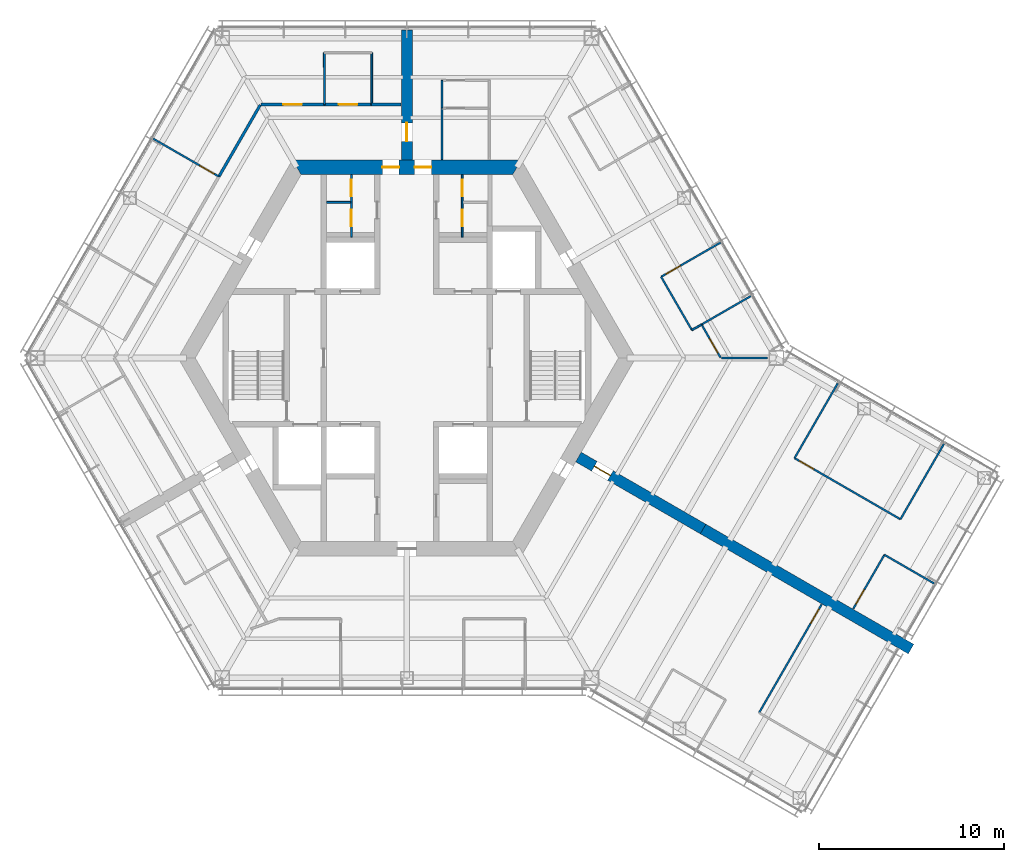
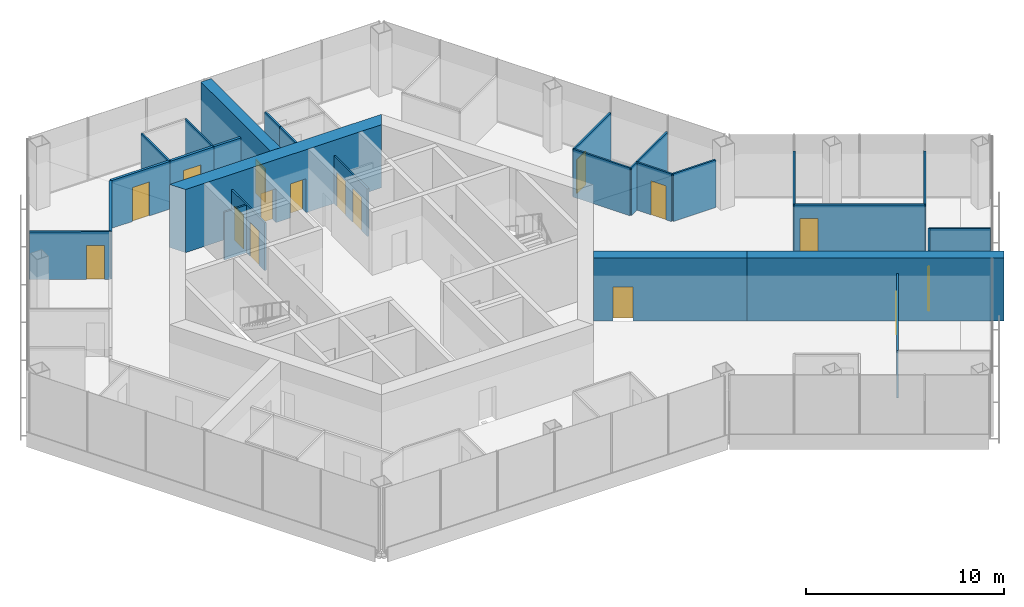
# One storey, part 12 of 16: 28 walls, 16 doors, 16 openings.
"""IFC4 building model written with IfcOpenShell, lengths in metres."""

from ifc_helpers import new_model, si_unit, direction, frame, frame_2d, origin, place, context, subcontext, project, spatial, polyline, rectangle, outline, extrude, material, layer, layer_set, type_object, element, fill, save


model = new_model("IFC4")

# Units and contexts
model_context = context("Model", 3, precision=1e-05, world=origin(), true_north=direction((0.0, 1.0)))
body_context = subcontext(model_context, "Body", "Model", "MODEL_VIEW")
ifc_project = project(units=[si_unit("LENGTHUNIT", "METRE"), si_unit("AREAUNIT", "SQUARE_METRE"), si_unit("VOLUMEUNIT", "CUBIC_METRE"), si_unit("PLANEANGLEUNIT", "RADIAN"), si_unit("MASSUNIT", "GRAM", prefix="KILO")], contexts=[model_context])

# Site, building, storey
site_placement = place(None, origin())
site = spatial("IfcSite", under=ifc_project, at=site_placement, CompositionType="ELEMENT")
building_placement = place(site_placement, origin())
building = spatial("IfcBuilding", under=site, at=building_placement, Name="Kasaneha Research Tower", CompositionType="ELEMENT")
storey_placement = place(building_placement, frame((0.0, 0.0, 251.800048828125)))
storey = spatial("IfcBuildingStorey", under=building, at=storey_placement, Name="L63", CompositionType="ELEMENT", Elevation=251.800048828125)

# Wall, openings, doors
ifc_material_1 = material(Name="Concrete Fc60", Category="concrete")
ifc_layer_1 = layer(ifc_material_1, 0.800048828125)
ifc_layer_set_1 = layer_set([ifc_layer_1], Name="Core wall 800 Fc60")
wall_type_1 = type_object("IfcWallType", Name="Core wall 800 Fc60", PredefinedType="SHEAR", material=ifc_layer_set_1)
wall_1_placement = place(storey_placement, frame((5.961181640625, 10.324951171875, 0.0), z_axis=(0.0, 0.0, 1.0), x_axis=(-1.0, 0.0, 0.0)))
wall_1 = element("IfcWall", 1, at=wall_1_placement, inside=storey, type_object=wall_type_1, Name="Core wall 090 L63", PredefinedType="SHEAR", context=body_context, shape_type="SweptSolid", body=[
    extrude(outline(polyline([(-0.23095703125, -0.39990234375), (4.63623046875, -0.39990234375), (5.5361328125, -0.39990234375), (6.38623046875, -0.39990234375), (7.2861328125, -0.39990234375), (12.1533203125, -0.39990234375), (11.69140625, 0.39990234375), (7.2861328125, 0.39990234375), (6.38623046875, 0.39990234375), (5.5361328125, 0.39990234375), (4.63623046875, 0.39990234375), (0.23095703125, 0.39990234375), (-0.23095703125, -0.39990234375)])), origin(), (0.0, 0.0, 1.0), 3.89990234375),
])
opening_1_placement = place(wall_1_placement, frame((6.38623046875, 0.0, 0.0)))
opening_1 = element("IfcOpeningElement", 2, at=opening_1_placement, cuts=wall_1, Name="Opening L63-D01", PredefinedType="OPENING", context=body_context, shape_type="SweptSolid", body=[
    extrude(rectangle(XDim=0.89990234375, YDim=2.10009765625, at=frame_2d((0.449951171875, 1.050048828125))), frame((0.0, 0.41015625, 0.0), z_axis=(0.0, -1.0, 0.0), x_axis=(1.0, 0.0, 0.0)), (0.0, 0.0, 1.0), 0.820068359375),
])
opening_2_placement = place(wall_1_placement, frame((4.63623046875, 0.0, 0.0)))
opening_2 = element("IfcOpeningElement", 3, at=opening_2_placement, cuts=wall_1, Name="Opening L63-D02", PredefinedType="OPENING", context=body_context, shape_type="SweptSolid", body=[
    extrude(rectangle(XDim=0.89990234375, YDim=2.10009765625, at=frame_2d((0.449951171875, 1.050048828125))), frame((0.0, 0.41015625, 0.0), z_axis=(0.0, -1.0, 0.0), x_axis=(1.0, 0.0, 0.0)), (0.0, 0.0, 1.0), 0.820068359375),
])
ifc_material_2 = material(Name="Steel", Category="steel")
door_type_1 = type_object("IfcDoorType", Name="Toilet door FD20 900x2100", OperationType="NOTDEFINED", PredefinedType="DOOR", material=ifc_material_2)
door_1_placement = place(opening_1_placement, origin())
door_1 = element("IfcDoor", 4, at=door_1_placement, inside=storey, type_object=door_type_1, Name="Core door north 1 L63-D01", OperationType="SINGLE_SWING_RIGHT", OverallHeight=2.10009765625, OverallWidth=0.89990234375, PredefinedType="DOOR", context=body_context, shape_type="SweptSolid", body=[
    extrude(rectangle(XDim=0.89990234375, YDim=2.10009765625, at=frame_2d((0.449951171875, 1.050048828125))), frame((0.0, 0.02490234375, 0.0), z_axis=(0.0, -1.0, 0.0), x_axis=(1.0, 0.0, 0.0)), (0.0, 0.0, 1.0), 0.050048828125),
])
fill(opening_1, door_1)
door_2_placement = place(opening_2_placement, origin())
door_2 = element("IfcDoor", 5, at=door_2_placement, inside=storey, type_object=door_type_1, Name="Core door north 2 L63-D02", OperationType="SINGLE_SWING_LEFT", OverallHeight=2.10009765625, OverallWidth=0.89990234375, PredefinedType="DOOR", context=body_context, shape_type="SweptSolid", body=[
    extrude(rectangle(XDim=0.89990234375, YDim=2.10009765625, at=frame_2d((0.449951171875, 1.050048828125))), frame((0.0, 0.02490234375, 0.0), z_axis=(0.0, -1.0, 0.0), x_axis=(1.0, 0.0, 0.0)), (0.0, 0.0, 1.0), 0.050048828125),
])
fill(opening_2, door_2)

ifc_material_3 = material(Name="Gypsum board on steel studs, one layer each side", Category="steel")
ifc_layer_2 = layer(ifc_material_3, 0.10009765625)
ifc_layer_set_2 = layer_set([ifc_layer_2], Name="Office partition 100")
wall_type_2 = type_object("IfcWallType", Name="Office partition 100", PredefinedType="PARTITIONING", material=ifc_layer_set_2)
wall_2_placement = place(storey_placement, frame((-3.0, 6.550048828125, 0.0), z_axis=(0.0, 0.0, 1.0), x_axis=(0.0, 1.0, 0.0)))
wall_2 = element("IfcWall", 6, at=wall_2_placement, inside=storey, type_object=wall_type_2, Name="Office partition TBM1 L63", PredefinedType="PARTITIONING", context=body_context, shape_type="SweptSolid", body=[
    extrude(rectangle(XDim=3.375, YDim=0.10009765625, at=frame_2d((1.6875, 0.0))), origin(), (0.0, 0.0, 1.0), 2.949951171875),
])
opening_3_placement = place(wall_2_placement, frame((0.58740234375, 0.0, 0.0)))
opening_3 = element("IfcOpeningElement", 7, at=opening_3_placement, cuts=wall_2, Name="Opening L63-D21", PredefinedType="OPENING", context=body_context, shape_type="SweptSolid", body=[
    extrude(rectangle(XDim=0.89990234375, YDim=2.10009765625, at=frame_2d((0.449951171875, 1.050048828125))), frame((0.0, 0.06005859375, 0.0), z_axis=(0.0, -1.0, 0.0), x_axis=(1.0, 0.0, 0.0)), (0.0, 0.0, 1.0), 0.1201171875),
])
opening_4_placement = place(wall_2_placement, frame((2.199951171875, 0.0, 0.0)))
opening_4 = element("IfcOpeningElement", 8, at=opening_4_placement, cuts=wall_2, Name="Opening L63-D22", PredefinedType="OPENING", context=body_context, shape_type="SweptSolid", body=[
    extrude(rectangle(XDim=0.89990234375, YDim=2.10009765625, at=frame_2d((0.449951171875, 1.050048828125))), frame((0.0, 0.06005859375, 0.0), z_axis=(0.0, -1.0, 0.0), x_axis=(1.0, 0.0, 0.0)), (0.0, 0.0, 1.0), 0.1201171875),
])
ifc_material_4 = material(Name="Steel", Category="steel")
door_type_2 = type_object("IfcDoorType", Name="Toilet lobby door FD30 900x2100", OperationType="NOTDEFINED", PredefinedType="DOOR", material=ifc_material_4)
door_3_placement = place(opening_3_placement, origin())
door_3 = element("IfcDoor", 9, at=door_3_placement, inside=storey, type_object=door_type_2, Name="Men's WC door L63-D21", OperationType="SINGLE_SWING_RIGHT", OverallHeight=2.10009765625, OverallWidth=0.89990234375, PredefinedType="DOOR", context=body_context, shape_type="SweptSolid", body=[
    extrude(rectangle(XDim=0.89990234375, YDim=2.10009765625, at=frame_2d((0.449951171875, 1.050048828125))), frame((0.0, 0.02490234375, 0.0), z_axis=(0.0, -1.0, 0.0), x_axis=(1.0, 0.0, 0.0)), (0.0, 0.0, 1.0), 0.050048828125),
])
fill(opening_3, door_3)
door_4_placement = place(opening_4_placement, origin())
door_4 = element("IfcDoor", 10, at=door_4_placement, inside=storey, type_object=door_type_2, Name="Parents' room door L63-D22", OperationType="SINGLE_SWING_RIGHT", OverallHeight=2.10009765625, OverallWidth=0.89990234375, PredefinedType="DOOR", context=body_context, shape_type="SweptSolid", body=[
    extrude(rectangle(XDim=0.89990234375, YDim=2.10009765625, at=frame_2d((0.449951171875, 1.050048828125))), frame((0.0, 0.02490234375, 0.0), z_axis=(0.0, -1.0, 0.0), x_axis=(1.0, 0.0, 0.0)), (0.0, 0.0, 1.0), 0.050048828125),
])
fill(opening_4, door_4)

# Wall
wall_3_placement = place(storey_placement, frame((-3.050048828125, 8.425048828125, 0.0), z_axis=(0.0, 0.0, 1.0), x_axis=(-1.0, 0.0, 0.0)))
element("IfcWall", 11, at=wall_3_placement, inside=storey, type_object=wall_type_2, Name="Office partition TBM2 L63", PredefinedType="PARTITIONING", context=body_context, shape_type="SweptSolid", body=[
    extrude(rectangle(XDim=1.300048828125, YDim=0.10009765625, at=frame_2d((0.64990234375, 0.0))), origin(), (0.0, 0.0, 1.0), 2.949951171875),
])

# Wall, openings, doors
wall_4_placement = place(storey_placement, frame((3.0, 6.550048828125, 0.0), z_axis=(0.0, 0.0, 1.0), x_axis=(0.0, 1.0, 0.0)))
wall_4 = element("IfcWall", 12, at=wall_4_placement, inside=storey, type_object=wall_type_2, Name="Office partition TBF1 L63", PredefinedType="PARTITIONING", context=body_context, shape_type="SweptSolid", body=[
    extrude(rectangle(XDim=3.375, YDim=0.10009765625, at=frame_2d((1.6875, 0.0))), origin(), (0.0, 0.0, 1.0), 2.949951171875),
])
opening_5_placement = place(wall_4_placement, frame((0.58740234375, 0.0, 0.0)))
opening_5 = element("IfcOpeningElement", 13, at=opening_5_placement, cuts=wall_4, Name="Opening L63-D23", PredefinedType="OPENING", context=body_context, shape_type="SweptSolid", body=[
    extrude(rectangle(XDim=0.89990234375, YDim=2.10009765625, at=frame_2d((0.449951171875, 1.050048828125))), frame((0.0, 0.06005859375, 0.0), z_axis=(0.0, -1.0, 0.0), x_axis=(1.0, 0.0, 0.0)), (0.0, 0.0, 1.0), 0.1201171875),
])
opening_6_placement = place(wall_4_placement, frame((2.199951171875, 0.0, 0.0)))
opening_6 = element("IfcOpeningElement", 14, at=opening_6_placement, cuts=wall_4, Name="Opening L63-D24", PredefinedType="OPENING", context=body_context, shape_type="SweptSolid", body=[
    extrude(rectangle(XDim=0.89990234375, YDim=2.10009765625, at=frame_2d((0.449951171875, 1.050048828125))), frame((0.0, 0.06005859375, 0.0), z_axis=(0.0, -1.0, 0.0), x_axis=(1.0, 0.0, 0.0)), (0.0, 0.0, 1.0), 0.1201171875),
])
door_5_placement = place(opening_5_placement, origin())
door_5 = element("IfcDoor", 15, at=door_5_placement, inside=storey, type_object=door_type_2, Name="Women's WC door L63-D23", OperationType="SINGLE_SWING_RIGHT", OverallHeight=2.10009765625, OverallWidth=0.89990234375, PredefinedType="DOOR", context=body_context, shape_type="SweptSolid", body=[
    extrude(rectangle(XDim=0.89990234375, YDim=2.10009765625, at=frame_2d((0.449951171875, 1.050048828125))), frame((0.0, 0.02490234375, 0.0), z_axis=(0.0, -1.0, 0.0), x_axis=(1.0, 0.0, 0.0)), (0.0, 0.0, 1.0), 0.050048828125),
])
fill(opening_5, door_5)
door_6_placement = place(opening_6_placement, origin())
door_6 = element("IfcDoor", 16, at=door_6_placement, inside=storey, type_object=door_type_2, Name="Cleaner's store door L63-D24", OperationType="SINGLE_SWING_RIGHT", OverallHeight=2.10009765625, OverallWidth=0.89990234375, PredefinedType="DOOR", context=body_context, shape_type="SweptSolid", body=[
    extrude(rectangle(XDim=0.89990234375, YDim=2.10009765625, at=frame_2d((0.449951171875, 1.050048828125))), frame((0.0, 0.02490234375, 0.0), z_axis=(0.0, -1.0, 0.0), x_axis=(1.0, 0.0, 0.0)), (0.0, 0.0, 1.0), 0.050048828125),
])
fill(opening_6, door_6)

# Walls
wall_5_placement = place(storey_placement, frame((1.89990234375, 10.7451171875, 0.0), z_axis=(0.0, 0.0, 1.0), x_axis=(0.001668713644, 0.999998607696, 0.0)))
element("IfcWall", 17, at=wall_5_placement, inside=storey, type_object=wall_type_2, Name="Office partition FAE02 L63", PredefinedType="PARTITIONING", context=body_context, shape_type="SweptSolid", body=[
    extrude(rectangle(XDim=2.77978515625, YDim=0.10009765625, at=frame_2d((1.389892578125, 0.0))), origin(), (0.0, 0.0, 1.0), 2.949951171875),
])
wall_6_placement = place(storey_placement, frame((1.904541015625, 13.52490234375, 0.0), z_axis=(0.0, 0.0, 1.0), x_axis=(-0.00309243313, 0.999995218417, 0.0)))
element("IfcWall", 18, at=wall_6_placement, inside=storey, type_object=wall_type_2, Name="Office partition FAE05 L63", PredefinedType="PARTITIONING", context=body_context, shape_type="SweptSolid", body=[
    extrude(rectangle(XDim=1.5, YDim=0.10009765625, at=frame_2d((0.75, 0.0))), origin(), (0.0, 0.0, 1.0), 2.949951171875),
])
wall_7_placement = place(storey_placement, frame((18.619873046875, 3.3505859375, 0.0), z_axis=(0.0, 0.0, 1.0), x_axis=(-0.866043267704, -0.499969057507, 0.0)))
element("IfcWall", 19, at=wall_7_placement, inside=storey, type_object=wall_type_2, Name="Office partition FAE07 L63", PredefinedType="PARTITIONING", context=body_context, shape_type="SweptSolid", body=[
    extrude(rectangle(XDim=3.085205078125, YDim=0.10009765625, at=frame_2d((1.54248046875, 0.0))), origin(), (0.0, 0.0, 1.0), 2.949951171875),
])

# Wall, opening, door
wall_8_placement = place(storey_placement, frame((13.767333984375, 4.395263671875, 0.0), z_axis=(0.0, 0.0, 1.0), x_axis=(0.8660398467, 0.499974983301, 0.0)))
wall_8 = element("IfcWall", 20, at=wall_8_placement, inside=storey, type_object=wall_type_2, Name="Office partition FAE08 L63", PredefinedType="PARTITIONING", context=body_context, shape_type="SweptSolid", body=[
    extrude(rectangle(XDim=3.710205078125, YDim=0.10009765625, at=frame_2d((1.85498046875, 0.0))), origin(), (0.0, 0.0, 1.0), 2.949951171875),
])
opening_7_placement = place(wall_8_placement, frame((0.300048828125, 0.0, 0.0)))
opening_7 = element("IfcOpeningElement", 21, at=opening_7_placement, cuts=wall_8, Name="Opening L63-D27", PredefinedType="OPENING", context=body_context, shape_type="SweptSolid", body=[
    extrude(rectangle(XDim=0.89990234375, YDim=2.10009765625, at=frame_2d((0.449951171875, 1.050048828125))), frame((0.0, 0.06005859375, 0.0), z_axis=(0.0, -1.0, 0.0), x_axis=(1.0, 0.0, 0.0)), (0.0, 0.0, 1.0), 0.1201171875),
])
ifc_material_5 = material(Name="Timber veneer", Category="wood")
door_type_3 = type_object("IfcDoorType", Name="Office door 900x2100", OperationType="SINGLE_SWING_LEFT", PredefinedType="DOOR", material=ifc_material_5)
door_7_placement = place(opening_7_placement, origin())
door_7 = element("IfcDoor", 22, at=door_7_placement, inside=storey, type_object=door_type_3, Name="Executive office door L63-D27", OperationType="SINGLE_SWING_LEFT", OverallHeight=2.10009765625, OverallWidth=0.89990234375, PredefinedType="DOOR", context=body_context, shape_type="SweptSolid", body=[
    extrude(rectangle(XDim=0.89990234375, YDim=2.10009765625, at=frame_2d((0.449951171875, 1.050048828125))), frame((0.0, 0.02490234375, 0.0), z_axis=(0.0, -1.0, 0.0), x_axis=(1.0, 0.0, 0.0)), (0.0, 0.0, 1.0), 0.050048828125),
])
fill(opening_7, door_7)

# Walls
wall_9_placement = place(storey_placement, frame((15.432861328125, 1.510498046875, 0.0), z_axis=(0.0, 0.0, 1.0), x_axis=(-0.500001606164, 0.866024476463, 0.0)))
element("IfcWall", 23, at=wall_9_placement, inside=storey, type_object=wall_type_2, Name="Office partition FAE09 L63", PredefinedType="PARTITIONING", context=body_context, shape_type="SweptSolid", body=[
    extrude(rectangle(XDim=3.3310546875, YDim=0.10009765625, at=frame_2d((1.66552734375, 0.0))), origin(), (0.0, 0.0, 1.0), 2.949951171875),
])
wall_10_placement = place(storey_placement, frame((15.956298828125, 1.812744140625, 0.0), z_axis=(0.0, 0.0, 1.0), x_axis=(-0.865997239347, -0.500048779063, 0.0)))
element("IfcWall", 24, at=wall_10_placement, inside=storey, type_object=wall_type_2, Name="Office partition FAE10 L63", PredefinedType="PARTITIONING", context=body_context, shape_type="SweptSolid", body=[
    extrude(rectangle(XDim=0.6044921875, YDim=0.10009765625, at=frame_2d((0.30224609375, 0.0))), origin(), (0.0, 0.0, 1.0), 2.949951171875),
])

# Wall, opening, door
wall_11_placement = place(storey_placement, frame((16.986083984375, 0.02001953125, 0.0), z_axis=(0.0, 0.0, 1.0), x_axis=(-0.498096123952, 0.867121820337, 0.0)))
wall_11 = element("IfcWall", 25, at=wall_11_placement, inside=storey, type_object=wall_type_2, Name="Office partition FAE14 L63", PredefinedType="PARTITIONING", context=body_context, shape_type="SweptSolid", body=[
    extrude(rectangle(XDim=2.0673828125, YDim=0.10009765625, at=frame_2d((1.03369140625, 0.0))), origin(), (0.0, 0.0, 1.0), 2.949951171875),
])
opening_8_placement = place(wall_11_placement, frame((0.300048828125, 0.0, 0.0)))
opening_8 = element("IfcOpeningElement", 26, at=opening_8_placement, cuts=wall_11, Name="Opening L63-D29", PredefinedType="OPENING", context=body_context, shape_type="SweptSolid", body=[
    extrude(rectangle(XDim=0.89990234375, YDim=2.10009765625, at=frame_2d((0.449951171875, 1.050048828125))), frame((0.0, 0.06005859375, 0.0), z_axis=(0.0, -1.0, 0.0), x_axis=(1.0, 0.0, 0.0)), (0.0, 0.0, 1.0), 0.1201171875),
])
door_8_placement = place(opening_8_placement, origin())
door_8 = element("IfcDoor", 27, at=door_8_placement, inside=storey, type_object=door_type_3, Name="Workroom door L63-D29", OperationType="SINGLE_SWING_LEFT", OverallHeight=2.10009765625, OverallWidth=0.89990234375, PredefinedType="DOOR", context=body_context, shape_type="SweptSolid", body=[
    extrude(rectangle(XDim=0.89990234375, YDim=2.10009765625, at=frame_2d((0.449951171875, 1.050048828125))), frame((0.0, 0.02490234375, 0.0), z_axis=(0.0, -1.0, 0.0), x_axis=(1.0, 0.0, 0.0)), (0.0, 0.0, 1.0), 0.050048828125),
])
fill(opening_8, door_8)

# Walls
for number, where, z_axis, x_axis, name in (
    (28, (-4.46044921875, 13.72509765625, 0.0), (0.0, 0.0, 1.0), (-0.001656781821, 0.999998627536, 0.0), "Office partition FAW05 L63"),
    (29, (-1.89990234375, 16.52490234375, 0.0), (0.0, 0.0, 1.0), (-0.001656781821, -0.999998627536, 0.0), "Office partition FAW06 L63"),
):
    element("IfcWall", number, at=place(storey_placement, frame(where, z_axis=z_axis, x_axis=x_axis)), inside=storey, type_object=wall_type_2, Name=name, PredefinedType="PARTITIONING", context=body_context, shape_type="SweptSolid", body=[
        extrude(rectangle(XDim=2.7998046875, YDim=0.10009765625, at=frame_2d((1.39990234375, 0.0))), origin(), (0.0, 0.0, 1.0), 2.949951171875),
    ])

# Wall, opening, door
wall_12_placement = place(storey_placement, frame((-10.17626953125, 9.82421875, 0.0), z_axis=(0.0, 0.0, 1.0), x_axis=(-0.866569463841, 0.499056474098, 0.0)))
wall_12 = element("IfcWall", 30, at=wall_12_placement, inside=storey, type_object=wall_type_2, Name="Office partition FBN07 L63", PredefinedType="PARTITIONING", context=body_context, shape_type="SweptSolid", body=[
    extrude(rectangle(XDim=4.10546875, YDim=0.10009765625, at=frame_2d((2.052734375, 0.0))), origin(), (0.0, 0.0, 1.0), 2.949951171875),
])
opening_9_placement = place(wall_12_placement, frame((0.300048828125, 0.0, 0.0)))
opening_9 = element("IfcOpeningElement", 31, at=opening_9_placement, cuts=wall_12, Name="Opening L63-D34", PredefinedType="OPENING", context=body_context, shape_type="SweptSolid", body=[
    extrude(rectangle(XDim=0.89990234375, YDim=2.10009765625, at=frame_2d((0.449951171875, 1.050048828125))), frame((0.0, 0.06005859375, 0.0), z_axis=(0.0, -1.0, 0.0), x_axis=(1.0, 0.0, 0.0)), (0.0, 0.0, 1.0), 0.1201171875),
])
door_9_placement = place(opening_9_placement, origin())
door_9 = element("IfcDoor", 32, at=door_9_placement, inside=storey, type_object=door_type_3, Name="Executive office door L63-D34", OperationType="SINGLE_SWING_LEFT", OverallHeight=2.10009765625, OverallWidth=0.89990234375, PredefinedType="DOOR", context=body_context, shape_type="SweptSolid", body=[
    extrude(rectangle(XDim=0.89990234375, YDim=2.10009765625, at=frame_2d((0.449951171875, 1.050048828125))), frame((0.0, 0.02490234375, 0.0), z_axis=(0.0, -1.0, 0.0), x_axis=(1.0, 0.0, 0.0)), (0.0, 0.0, 1.0), 0.050048828125),
])
fill(opening_9, door_9)

# Wall
wall_13_placement = place(storey_placement, frame((20.9921875, -5.422607421875, 0.0), z_axis=(0.0, 0.0, 1.0), x_axis=(0.500015969955, 0.86601618333, 0.0)))
element("IfcWall", 33, at=wall_13_placement, inside=storey, type_object=wall_type_2, Name="Office partition FCE01 L63", PredefinedType="PARTITIONING", context=body_context, shape_type="SweptSolid", body=[
    extrude(rectangle(XDim=4.679931640625, YDim=0.10009765625, at=frame_2d((2.33984375, 0.0))), origin(), (0.0, 0.0, 1.0), 2.949951171875),
])

# Wall, opening, door
wall_14_placement = place(storey_placement, frame((26.72509765625, -8.732421875, 0.0), z_axis=(0.0, 0.0, 1.0), x_axis=(-0.866030817826, 0.499990622488, 0.0)))
wall_14 = element("IfcWall", 34, at=wall_14_placement, inside=storey, type_object=wall_type_2, Name="Office partition FCE02 L63", PredefinedType="PARTITIONING", context=body_context, shape_type="SweptSolid", body=[
    extrude(rectangle(XDim=6.619873046875, YDim=0.10009765625, at=frame_2d((3.31005859375, 0.0))), origin(), (0.0, 0.0, 1.0), 2.949951171875),
])
opening_10_placement = place(wall_14_placement, frame((5.419677734375, 0.0, 0.0)))
opening_10 = element("IfcOpeningElement", 35, at=opening_10_placement, cuts=wall_14, Name="Opening L63-D39", PredefinedType="OPENING", context=body_context, shape_type="SweptSolid", body=[
    extrude(rectangle(XDim=0.89990234375, YDim=2.10009765625, at=frame_2d((0.449951171875, 1.050048828125))), frame((0.0, 0.06005859375, 0.0), z_axis=(0.0, -1.0, 0.0), x_axis=(1.0, 0.0, 0.0)), (0.0, 0.0, 1.0), 0.1201171875),
])
door_10_placement = place(opening_10_placement, origin())
door_10 = element("IfcDoor", 36, at=door_10_placement, inside=storey, type_object=door_type_3, Name="Executive office door L63-D39", OperationType="SINGLE_SWING_RIGHT", OverallHeight=2.10009765625, OverallWidth=0.89990234375, PredefinedType="DOOR", context=body_context, shape_type="SweptSolid", body=[
    extrude(rectangle(XDim=0.89990234375, YDim=2.10009765625, at=frame_2d((0.449951171875, 1.050048828125))), frame((0.0, 0.02490234375, 0.0), z_axis=(0.0, -1.0, 0.0), x_axis=(1.0, 0.0, 0.0)), (0.0, 0.0, 1.0), 0.050048828125),
])
fill(opening_10, door_10)

# Wall
wall_15_placement = place(storey_placement, frame((29.080078125, -4.6533203125, 0.0), z_axis=(0.0, 0.0, 1.0), x_axis=(-0.499985682323, -0.866033669941, 0.0)))
element("IfcWall", 37, at=wall_15_placement, inside=storey, type_object=wall_type_2, Name="Office partition FCE03 L63", PredefinedType="PARTITIONING", context=body_context, shape_type="SweptSolid", body=[
    extrude(rectangle(XDim=4.710205078125, YDim=0.10009765625, at=frame_2d((2.35498046875, 0.0))), origin(), (0.0, 0.0, 1.0), 2.949951171875),
])

# Wall, opening, door
wall_16_placement = place(storey_placement, frame((24.166748046875, -13.5830078125, 0.0), z_axis=(0.0, 0.0, 1.0), x_axis=(0.500007997579, 0.866020786331, 0.0)))
wall_16 = element("IfcWall", 38, at=wall_16_placement, inside=storey, type_object=wall_type_2, Name="Office partition FCE04 L63", PredefinedType="PARTITIONING", context=body_context, shape_type="SweptSolid", body=[
    extrude(rectangle(XDim=3.3798828125, YDim=0.10009765625, at=frame_2d((1.68994140625, 0.0))), origin(), (0.0, 0.0, 1.0), 2.949951171875),
])
opening_11_placement = place(wall_16_placement, frame((0.300048828125, 0.0, 0.0)))
opening_11 = element("IfcOpeningElement", 39, at=opening_11_placement, cuts=wall_16, Name="Opening L63-D40", PredefinedType="OPENING", context=body_context, shape_type="SweptSolid", body=[
    extrude(rectangle(XDim=0.89990234375, YDim=2.10009765625, at=frame_2d((0.449951171875, 1.050048828125))), frame((0.0, 0.06005859375, 0.0), z_axis=(0.0, -1.0, 0.0), x_axis=(1.0, 0.0, 0.0)), (0.0, 0.0, 1.0), 0.1201171875),
])
door_11_placement = place(opening_11_placement, origin())
door_11 = element("IfcDoor", 40, at=door_11_placement, inside=storey, type_object=door_type_3, Name="Workroom door L63-D40", OperationType="SINGLE_SWING_LEFT", OverallHeight=2.10009765625, OverallWidth=0.89990234375, PredefinedType="DOOR", context=body_context, shape_type="SweptSolid", body=[
    extrude(rectangle(XDim=0.89990234375, YDim=2.10009765625, at=frame_2d((0.449951171875, 1.050048828125))), frame((0.0, 0.02490234375, 0.0), z_axis=(0.0, -1.0, 0.0), x_axis=(1.0, 0.0, 0.0)), (0.0, 0.0, 1.0), 0.050048828125),
])
fill(opening_11, door_11)

# Wall
wall_17_placement = place(storey_placement, frame((25.856689453125, -10.656005859375, 0.0), z_axis=(0.0, 0.0, 1.0), x_axis=(0.866036558865, -0.499980678337, 0.0)))
element("IfcWall", 41, at=wall_17_placement, inside=storey, type_object=wall_type_2, Name="Office partition FCE05 L63", PredefinedType="PARTITIONING", context=body_context, shape_type="SweptSolid", body=[
    extrude(rectangle(XDim=3.10986328125, YDim=0.10009765625, at=frame_2d((1.554931640625, 0.0))), origin(), (0.0, 0.0, 1.0), 2.949951171875),
])

# Wall, opening, door
wall_18_placement = place(storey_placement, frame((19.071044921875, -19.208984375, 0.0), z_axis=(0.0, 0.0, 1.0), x_axis=(0.499992600721, 0.866029675718, 0.0)))
wall_18 = element("IfcWall", 42, at=wall_18_placement, inside=storey, type_object=wall_type_2, Name="Office partition FCS07 L63", PredefinedType="PARTITIONING", context=body_context, shape_type="SweptSolid", body=[
    extrude(rectangle(XDim=6.77978515625, YDim=0.10009765625, at=frame_2d((3.389892578125, 0.0))), origin(), (0.0, 0.0, 1.0), 2.949951171875),
])
opening_12_placement = place(wall_18_placement, frame((5.580078125, 0.0, 0.0)))
opening_12 = element("IfcOpeningElement", 43, at=opening_12_placement, cuts=wall_18, Name="Opening L63-D43", PredefinedType="OPENING", context=body_context, shape_type="SweptSolid", body=[
    extrude(rectangle(XDim=0.89990234375, YDim=2.10009765625, at=frame_2d((0.449951171875, 1.050048828125))), frame((0.0, 0.06005859375, 0.0), z_axis=(0.0, -1.0, 0.0), x_axis=(1.0, 0.0, 0.0)), (0.0, 0.0, 1.0), 0.1201171875),
])
door_12_placement = place(opening_12_placement, origin())
door_12 = element("IfcDoor", 44, at=door_12_placement, inside=storey, type_object=door_type_3, Name="Board meeting room door L63-D43", OperationType="SINGLE_SWING_RIGHT", OverallHeight=2.10009765625, OverallWidth=0.89990234375, PredefinedType="DOOR", context=body_context, shape_type="SweptSolid", body=[
    extrude(rectangle(XDim=0.89990234375, YDim=2.10009765625, at=frame_2d((0.449951171875, 1.050048828125))), frame((0.0, 0.02490234375, 0.0), z_axis=(0.0, -1.0, 0.0), x_axis=(1.0, 0.0, 0.0)), (0.0, 0.0, 1.0), 0.050048828125),
])
fill(opening_12, door_12)

# Wall
wall_19_placement = place(storey_placement, frame((19.5185546875, 0.0, 0.0), z_axis=(0.0, 0.0, 1.0), x_axis=(-1.0, 0.0, 0.0)))
element("IfcWall", 45, at=wall_19_placement, inside=storey, type_object=wall_type_2, Name="Office partition closer PT5 L63", PredefinedType="PARTITIONING", context=body_context, shape_type="SweptSolid", body=[
    extrude(rectangle(XDim=2.477783203125, YDim=0.10009765625, at=frame_2d((1.23876953125, 0.0))), origin(), (0.0, 0.0, 1.0), 2.949951171875),
])

# Wall, opening, door
ifc_material_6 = material(Name="Concrete Fc60", Category="concrete")
ifc_layer_3 = layer(ifc_material_6, 0.60009765625)
ifc_layer_set_3 = layer_set([ifc_layer_3], Name="Spine wall 600 Fc60")
wall_type_3 = type_object("IfcWallType", Name="Spine wall 600 Fc60", PredefinedType="SHEAR", material=ifc_layer_set_3)
wall_20_placement = place(storey_placement, frame((0.0, 10.72509765625, 0.0), z_axis=(0.0, 0.0, 1.0), x_axis=(0.0, 1.0, 0.0)))
wall_20 = element("IfcWall", 46, at=wall_20_placement, inside=storey, type_object=wall_type_3, Name="Spine wall A L63", PredefinedType="SHEAR", context=body_context, shape_type="SweptSolid", body=[
    extrude(rectangle(XDim=7.04541015625, YDim=0.60009765625, at=frame_2d((3.522705078125, 0.0))), origin(), (0.0, 0.0, 1.0), 3.89990234375),
])
opening_13_placement = place(wall_20_placement, frame((1.0, 0.0, 0.0)))
opening_13 = element("IfcOpeningElement", 47, at=opening_13_placement, cuts=wall_20, Name="Opening L63-D18", PredefinedType="OPENING", context=body_context, shape_type="SweptSolid", body=[
    extrude(rectangle(XDim=1.0, YDim=2.10009765625, at=frame_2d((0.5, 1.050048828125))), frame((0.0, 0.31005859375, 0.0), z_axis=(0.0, -1.0, 0.0), x_axis=(1.0, 0.0, 0.0)), (0.0, 0.0, 1.0), 0.6201171875),
])
ifc_material_7 = material(Name="Steel", Category="steel")
door_type_4 = type_object("IfcDoorType", Name="Specified fire door FD60 1000x2100", OperationType="NOTDEFINED", PredefinedType="DOOR", material=ifc_material_7)
door_13_placement = place(opening_13_placement, origin())
door_13 = element("IfcDoor", 48, at=door_13_placement, inside=storey, type_object=door_type_4, Name="Spine doorway A L63-D18", OperationType="SINGLE_SWING_LEFT", OverallHeight=2.10009765625, OverallWidth=1.0, PredefinedType="DOOR", context=body_context, shape_type="SweptSolid", body=[
    extrude(rectangle(XDim=1.0, YDim=2.10009765625, at=frame_2d((0.5, 1.050048828125))), frame((0.0, 0.02490234375, 0.0), z_axis=(0.0, -1.0, 0.0), x_axis=(1.0, 0.0, 0.0)), (0.0, 0.0, 1.0), 0.050048828125),
])
fill(opening_13, door_13)

wall_21_placement = place(storey_placement, frame((9.2880859375, -5.362548828125, 0.0), z_axis=(0.0, 0.0, 1.0), x_axis=(0.866031736626, -0.499989031036, 0.0)))
wall_21 = element("IfcWall", 49, at=wall_21_placement, inside=storey, type_object=wall_type_3, Name="Spine wall C L63", PredefinedType="SHEAR", context=body_context, shape_type="SweptSolid", body=[
    extrude(rectangle(XDim=7.795654296875, YDim=0.60009765625, at=frame_2d((3.89794921875, 0.0))), origin(), (0.0, 0.0, 1.0), 3.89990234375),
])
opening_14_placement = place(wall_21_placement, frame((1.0, 0.0, 0.0)))
opening_14 = element("IfcOpeningElement", 50, at=opening_14_placement, cuts=wall_21, Name="Opening L63-D20", PredefinedType="OPENING", context=body_context, shape_type="SweptSolid", body=[
    extrude(rectangle(XDim=1.0, YDim=2.10009765625, at=frame_2d((0.5, 1.050048828125))), frame((0.0, 0.31005859375, 0.0), z_axis=(0.0, -1.0, 0.0), x_axis=(1.0, 0.0, 0.0)), (0.0, 0.0, 1.0), 0.6201171875),
])
door_14_placement = place(opening_14_placement, origin())
door_14 = element("IfcDoor", 51, at=door_14_placement, inside=storey, type_object=door_type_4, Name="Spine doorway C L63-D20", OperationType="SINGLE_SWING_LEFT", OverallHeight=2.10009765625, OverallWidth=1.0, PredefinedType="DOOR", context=body_context, shape_type="SweptSolid", body=[
    extrude(rectangle(XDim=1.0, YDim=2.10009765625, at=frame_2d((0.5, 1.050048828125))), frame((0.0, 0.02490234375, 0.0), z_axis=(0.0, -1.0, 0.0), x_axis=(1.0, 0.0, 0.0)), (0.0, 0.0, 1.0), 0.050048828125),
])
fill(opening_14, door_14)

# Wall
wall_22_placement = place(storey_placement, frame((16.039306640625, -9.26025390625, 0.0), z_axis=(0.0, 0.0, 1.0), x_axis=(0.866024837091, -0.50000098154, 0.0)))
element("IfcWall", 52, at=wall_22_placement, inside=storey, type_object=wall_type_3, Name="Spine wall C wing L63", PredefinedType="SHEAR", context=body_context, shape_type="SweptSolid", body=[
    extrude(rectangle(XDim=13.0, YDim=0.60009765625, at=frame_2d((6.5, 0.0))), origin(), (0.0, 0.0, 1.0), 3.89990234375),
])

# Wall, opening, door
ifc_material_8 = material(Name="Gypsum board on steel studs, two layers each side", Category="steel")
ifc_layer_4 = layer(ifc_material_8, 0.14990234375)
ifc_layer_set_4 = layer_set([ifc_layer_4], Name="Suite partition 150")
wall_type_4 = type_object("IfcWallType", Name="Suite partition 150", PredefinedType="PARTITIONING", material=ifc_layer_set_4)
wall_23_placement = place(storey_placement, frame((-4.469970703125, 13.72509765625, 0.0), z_axis=(0.0, 0.0, 1.0), x_axis=(1.0, 0.0, 0.0)))
wall_23 = element("IfcWall", 53, at=wall_23_placement, inside=storey, type_object=wall_type_4, Name="Suite partition FAW01 L63", PredefinedType="PARTITIONING", context=body_context, shape_type="SweptSolid", body=[
    extrude(rectangle(XDim=2.574951171875, YDim=0.14990234375, at=frame_2d((1.28759765625, 0.0))), origin(), (0.0, 0.0, 1.0), 2.949951171875),
])
opening_15_placement = place(wall_23_placement, frame((0.78759765625, 0.0, 0.0)))
opening_15 = element("IfcOpeningElement", 54, at=opening_15_placement, cuts=wall_23, Name="Opening L63-D30", PredefinedType="OPENING", context=body_context, shape_type="SweptSolid", body=[
    extrude(rectangle(XDim=1.0, YDim=2.10009765625, at=frame_2d((0.5, 1.050048828125))), frame((0.0, 0.0849609375, 0.0), z_axis=(0.0, -1.0, 0.0), x_axis=(1.0, 0.0, 0.0)), (0.0, 0.0, 1.0), 0.169921875),
])
ifc_material_9 = material(Name="Steel", Category="steel")
door_type_5 = type_object("IfcDoorType", Name="Suite entrance door FD60 1000x2100", OperationType="NOTDEFINED", PredefinedType="DOOR", material=ifc_material_9)
door_15_placement = place(opening_15_placement, origin())
door_15 = element("IfcDoor", 55, at=door_15_placement, inside=storey, type_object=door_type_5, Name="Suite entrance door L63-D30", OperationType="SINGLE_SWING_RIGHT", OverallHeight=2.10009765625, OverallWidth=1.0, PredefinedType="DOOR", context=body_context, shape_type="SweptSolid", body=[
    extrude(rectangle(XDim=1.0, YDim=2.10009765625, at=frame_2d((0.5, 1.050048828125))), frame((0.0, 0.02490234375, 0.0), z_axis=(0.0, -1.0, 0.0), x_axis=(1.0, 0.0, 0.0)), (0.0, 0.0, 1.0), 0.050048828125),
])
fill(opening_15, door_15)

wall_24_placement = place(storey_placement, frame((-7.90087890625, 13.72509765625, 0.0), z_axis=(0.0, 0.0, 1.0), x_axis=(1.0, 0.0, 0.0)))
wall_24 = element("IfcWall", 56, at=wall_24_placement, inside=storey, type_object=wall_type_4, Name="Suite partition FAW02 L63", PredefinedType="PARTITIONING", context=body_context, shape_type="SweptSolid", body=[
    extrude(rectangle(XDim=3.4404296875, YDim=0.14990234375, at=frame_2d((1.72021484375, 0.0))), origin(), (0.0, 0.0, 1.0), 2.949951171875),
])
opening_16_placement = place(wall_24_placement, frame((1.22021484375, 0.0, 0.0)))
opening_16 = element("IfcOpeningElement", 57, at=opening_16_placement, cuts=wall_24, Name="Opening L63-D31", PredefinedType="OPENING", context=body_context, shape_type="SweptSolid", body=[
    extrude(rectangle(XDim=1.0, YDim=2.10009765625, at=frame_2d((0.5, 1.050048828125))), frame((0.0, 0.0849609375, 0.0), z_axis=(0.0, -1.0, 0.0), x_axis=(1.0, 0.0, 0.0)), (0.0, 0.0, 1.0), 0.169921875),
])
door_16_placement = place(opening_16_placement, origin())
door_16 = element("IfcDoor", 58, at=door_16_placement, inside=storey, type_object=door_type_5, Name="Suite entrance door L63-D31", OperationType="SINGLE_SWING_RIGHT", OverallHeight=2.10009765625, OverallWidth=1.0, PredefinedType="DOOR", context=body_context, shape_type="SweptSolid", body=[
    extrude(rectangle(XDim=1.0, YDim=2.10009765625, at=frame_2d((0.5, 1.050048828125))), frame((0.0, 0.02490234375, 0.0), z_axis=(0.0, -1.0, 0.0), x_axis=(1.0, 0.0, 0.0)), (0.0, 0.0, 1.0), 0.050048828125),
])
fill(opening_16, door_16)

# Walls
wall_25_placement = place(storey_placement, frame((-1.904541015625, 13.72509765625, 0.0), z_axis=(0.0, 0.0, 1.0), x_axis=(1.0, 0.0, 0.0)))
element("IfcWall", 59, at=wall_25_placement, inside=storey, type_object=wall_type_4, Name="Suite partition FAW03 L63", PredefinedType="PARTITIONING", context=body_context, shape_type="SweptSolid", body=[
    extrude(rectangle(XDim=1.58447265625, YDim=0.14990234375, at=frame_2d((0.792236328125, 0.0))), origin(), (0.0, 0.0, 1.0), 2.949951171875),
])
wall_26_placement = place(storey_placement, frame((-10.180908203125, 9.816162109375, 0.0), z_axis=(0.0, 0.0, 1.0), x_axis=(0.499975026679, 0.866039821658, 0.0)))
element("IfcWall", 60, at=wall_26_placement, inside=storey, type_object=wall_type_4, Name="Suite partition FBN01 L63", PredefinedType="PARTITIONING", context=body_context, shape_type="SweptSolid", body=[
    extrude(rectangle(XDim=4.490478515625, YDim=0.14990234375, at=frame_2d((2.2451171875, 0.0))), origin(), (0.0, 0.0, 1.0), 2.949951171875),
])

save(model, "model.ifc")
